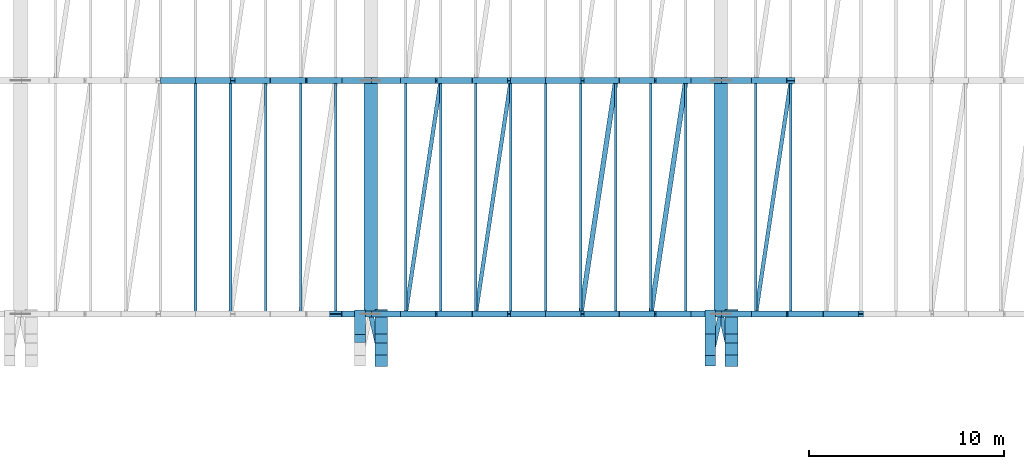
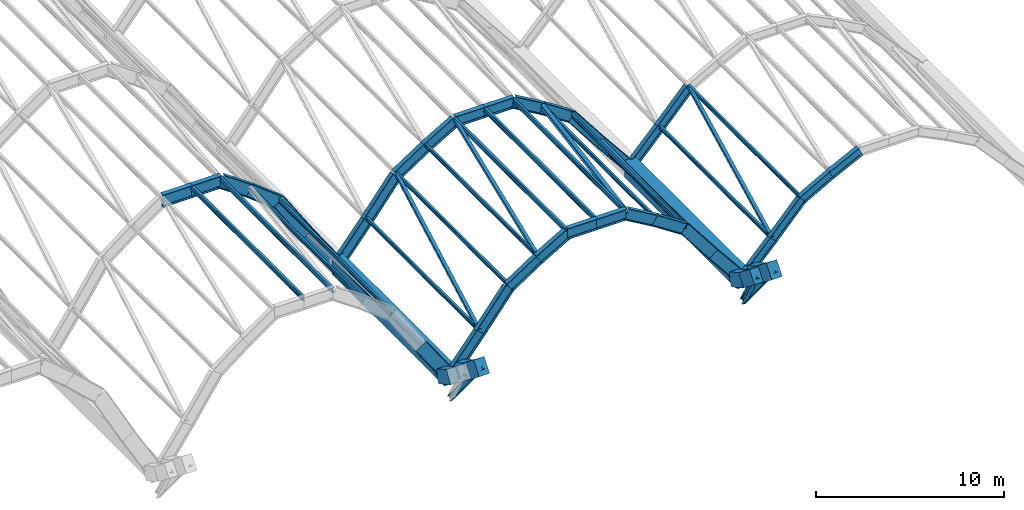
# One storey, part 13 of 86: 42 beams, 24 members.
"""IFC4 building model written with IfcOpenShell, lengths in metres."""

from ifc_helpers import new_model, si_unit, direction, frame, origin, origin_2d, place, context, subcontext, project, spatial, rectangle, i_section, extrude, material, material_profile, profile_set, type_object, element, save


model = new_model("IFC4")

# Units and contexts
model_context = context("Model", 3, precision=1e-05, world=origin(), true_north=direction((0.0, 1.0)))
body_context = subcontext(model_context, "Body", "Model", "MODEL_VIEW")
ifc_project = project(units=[si_unit("LENGTHUNIT", "METRE"), si_unit("AREAUNIT", "SQUARE_METRE"), si_unit("VOLUMEUNIT", "CUBIC_METRE"), si_unit("PLANEANGLEUNIT", "RADIAN"), si_unit("MASSUNIT", "GRAM", prefix="KILO")], contexts=[model_context])

# Site, building, storey
site_placement = place(None, origin())
site = spatial("IfcSite", under=ifc_project, at=site_placement, CompositionType="ELEMENT")
building_placement = place(site_placement, origin())
building = spatial("IfcBuilding", under=site, at=building_placement, Name="Chuanluo Vaults Station", CompositionType="ELEMENT")
storey_placement = place(building_placement, frame((0.0, 0.0, 14.39990234375)))
storey = spatial("IfcBuildingStorey", under=building, at=storey_placement, Name="L03", CompositionType="ELEMENT", Elevation=14.39990234375)

# Beams
ifc_material_1 = material(Name="Concrete C50", Category="concrete")
ifc_material_profile_1 = material_profile(ifc_material_1, rectangle(XDim=0.64990234375, YDim=0.949951171875, at=origin_2d()))
ifc_profile_set_1 = profile_set([ifc_material_profile_1], Name="Concrete C50")
beam_type_1 = type_object("IfcBeamType", Name="BM-CUSP-RC1", PredefinedType="USERDEFINED", material=ifc_profile_set_1)
beam_1_placement = place(storey_placement, frame((90.550048828125, 18.0, -0.5498046875), z_axis=(0.0, -0.872520545396, 0.488577422588), x_axis=(1.0, 0.0, 0.0)))
element("IfcBeam", 1, at=beam_1_placement, inside=storey, type_object=beam_type_1, Name="Vault V6 upturned cusp rib S-W chord 1", ObjectType="GIRDER", PredefinedType="USERDEFINED", context=body_context, shape_type="SweptSolid", body=[
    extrude(rectangle(XDim=0.64990234375, YDim=0.949951171875, at=origin_2d()), origin(), (0.0, 0.0, 1.0), 1.4326171875),
])
beam_2_placement = place(storey_placement, frame((90.550048828125, 16.75, 0.150146484375), z_axis=(0.0, -0.787512057463, 0.61629924497), x_axis=(1.0, 0.0, 0.0)))
element("IfcBeam", 2, at=beam_2_placement, inside=storey, type_object=beam_type_1, Name="Vault V6 upturned cusp rib S-W chord 2", ObjectType="GIRDER", PredefinedType="USERDEFINED", context=body_context, shape_type="SweptSolid", body=[
    extrude(rectangle(XDim=0.64990234375, YDim=0.949951171875, at=origin_2d()), origin(), (0.0, 0.0, 1.0), 1.460205078125),
])
beam_3_placement = place(storey_placement, frame((108.550048828125, 18.0, -0.5498046875), z_axis=(0.0, -0.872520545396, 0.488577422588), x_axis=(1.0, 0.0, 0.0)))
element("IfcBeam", 3, at=beam_3_placement, inside=storey, type_object=beam_type_1, Name="Vault V7 upturned cusp rib S-W chord 1", ObjectType="GIRDER", PredefinedType="USERDEFINED", context=body_context, shape_type="SweptSolid", body=[
    extrude(rectangle(XDim=0.64990234375, YDim=0.949951171875, at=origin_2d()), origin(), (0.0, 0.0, 1.0), 1.4326171875),
])
beam_4_placement = place(storey_placement, frame((108.550048828125, 16.75, 0.150146484375), z_axis=(0.0, -0.787512057463, 0.61629924497), x_axis=(1.0, 0.0, 0.0)))
element("IfcBeam", 4, at=beam_4_placement, inside=storey, type_object=beam_type_1, Name="Vault V7 upturned cusp rib S-W chord 2", ObjectType="GIRDER", PredefinedType="USERDEFINED", context=body_context, shape_type="SweptSolid", body=[
    extrude(rectangle(XDim=0.64990234375, YDim=0.949951171875, at=origin_2d()), origin(), (0.0, 0.0, 1.0), 1.460205078125),
])
ifc_material_2 = material(Name="Concrete C50", Category="concrete")
ifc_material_profile_2 = material_profile(ifc_material_2, rectangle(XDim=0.550048828125, YDim=0.85009765625, at=origin_2d()))
ifc_profile_set_2 = profile_set([ifc_material_profile_2], Name="Concrete C50")
beam_type_2 = type_object("IfcBeamType", Name="BM-CUSP-RC2", PredefinedType="USERDEFINED", material=ifc_profile_set_2)
for number, where, z_axis, x_axis, name in (
    (5, (89.449951171875, 18.0, -0.5498046875), (0.0, -0.872520545396, 0.488577422588), (1.0, 0.0, 0.0), "Vault V5 upturned cusp rib S-E chord 1"),
    (6, (107.449951171875, 18.0, -0.5498046875), (0.0, -0.872520545396, 0.488577422588), (1.0, 0.0, 0.0), "Vault V6 upturned cusp rib S-E chord 1"),
):
    element("IfcBeam", number, at=place(storey_placement, frame(where, z_axis=z_axis, x_axis=x_axis)), inside=storey, type_object=beam_type_2, Name=name, ObjectType="GIRDER", PredefinedType="USERDEFINED", context=body_context, shape_type="SweptSolid", body=[
        extrude(rectangle(XDim=0.550048828125, YDim=0.85009765625, at=origin_2d()), origin(), (0.0, 0.0, 1.0), 1.4326171875),
    ])
beam_5_placement = place(storey_placement, frame((107.449951171875, 16.75, 0.150146484375), z_axis=(0.0, -0.787512057463, 0.61629924497), x_axis=(1.0, 0.0, 0.0)))
element("IfcBeam", 7, at=beam_5_placement, inside=storey, type_object=beam_type_2, Name="Vault V6 upturned cusp rib S-E chord 2", ObjectType="GIRDER", PredefinedType="USERDEFINED", context=body_context, shape_type="SweptSolid", body=[
    extrude(rectangle(XDim=0.550048828125, YDim=0.85009765625, at=origin_2d()), origin(), (0.0, 0.0, 1.0), 1.460205078125),
])
ifc_material_3 = material(Name="Concrete C50", Category="concrete")
ifc_material_profile_3 = material_profile(ifc_material_3, rectangle(XDim=0.699951171875, YDim=1.10009765625, at=origin_2d()))
ifc_profile_set_3 = profile_set([ifc_material_profile_3], Name="Concrete C50")
beam_type_3 = type_object("IfcBeamType", Name="BM-VAL-RC", PredefinedType="USERDEFINED", material=ifc_profile_set_3)
for number, where, z_axis, x_axis, name in (
    (8, (90.0, 18.0, -0.7998046875), (0.0, 1.0, 0.0), (-1.0, 0.0, 0.0), "Vault springing valley beam X90-1"),
    (9, (108.0, 18.0, -0.7998046875), (0.0, 1.0, 0.0), (-1.0, 0.0, 0.0), "Vault springing valley beam X108-1"),
):
    element("IfcBeam", number, at=place(storey_placement, frame(where, z_axis=z_axis, x_axis=x_axis)), inside=storey, type_object=beam_type_3, Name=name, ObjectType="GIRDER", PredefinedType="USERDEFINED", context=body_context, shape_type="SweptSolid", body=[
        extrude(rectangle(XDim=0.699951171875, YDim=1.10009765625, at=origin_2d()), origin(), (0.0, 0.0, 1.0), 12.0),
    ])
ifc_material_4 = material(Name="Steel Q355C", Category="steel")
ifc_material_profile_4 = material_profile(ifc_material_4, i_section(OverallWidth=0.300048828125, OverallDepth=0.587890625, WebThickness=0.011962890625, FlangeThickness=0.02001953125, FilletRadius=0.02392578125, at=origin_2d()))
ifc_profile_set_4 = profile_set([ifc_material_profile_4], Name="Steel Q355C")
beam_type_4 = type_object("IfcBeamType", Name="BM-VLT-600", PredefinedType="USERDEFINED", material=ifc_profile_set_4)
beam_6_placement = place(storey_placement, frame((108.0, 18.0, -0.743896484375), z_axis=(0.684521510403, 0.0, 0.728992662374), x_axis=(0.0, 1.0, 0.0)))
element("IfcBeam", 10, at=beam_6_placement, inside=storey, type_object=beam_type_4, Name="Vault V7 arch rib 1 chord 1", ObjectType="GIRDER", PredefinedType="USERDEFINED", context=body_context, shape_type="SweptSolid", body=[
    extrude(i_section(OverallWidth=0.300048828125, OverallDepth=0.587890625, WebThickness=0.011962890625, FlangeThickness=0.02001953125, FilletRadius=0.02392578125, at=origin_2d()), origin(), (0.0, 0.0, 1.0), 2.629638671875),
])
beam_7_placement = place(storey_placement, frame((109.800048828125, 18.0, 1.173095703125), z_axis=(0.674369120381, 0.0, 0.738394399679), x_axis=(0.0, 1.0, 0.0)))
element("IfcBeam", 11, at=beam_7_placement, inside=storey, type_object=beam_type_4, Name="Vault V7 arch rib 1 chord 2", ObjectType="GIRDER", PredefinedType="USERDEFINED", context=body_context, shape_type="SweptSolid", body=[
    extrude(i_section(OverallWidth=0.300048828125, OverallDepth=0.587890625, WebThickness=0.011962890625, FlangeThickness=0.02001953125, FilletRadius=0.02392578125, at=origin_2d()), origin(), (0.0, 0.0, 1.0), 2.669189453125),
])
beam_8_placement = place(storey_placement, frame((111.60009765625, 18.0, 3.14404296875), z_axis=(0.873681685546, 0.0, 0.486498008569), x_axis=(0.0, 1.0, 0.0)))
element("IfcBeam", 12, at=beam_8_placement, inside=storey, type_object=beam_type_4, Name="Vault V7 arch rib 1 chord 3", ObjectType="GIRDER", PredefinedType="USERDEFINED", context=body_context, shape_type="SweptSolid", body=[
    extrude(i_section(OverallWidth=0.300048828125, OverallDepth=0.587890625, WebThickness=0.011962890625, FlangeThickness=0.02001953125, FilletRadius=0.02392578125, at=origin_2d()), origin(), (0.0, 0.0, 1.0), 2.06005859375),
])
beam_9_placement = place(storey_placement, frame((113.39990234375, 18.0, 4.146240234375), z_axis=(0.896436371213, 0.0, 0.443172463457), x_axis=(0.0, 1.0, 0.0)))
element("IfcBeam", 13, at=beam_9_placement, inside=storey, type_object=beam_type_4, Name="Vault V7 arch rib 1 chord 4", ObjectType="GIRDER", PredefinedType="USERDEFINED", context=body_context, shape_type="SweptSolid", body=[
    extrude(i_section(OverallWidth=0.300048828125, OverallDepth=0.587890625, WebThickness=0.011962890625, FlangeThickness=0.02001953125, FilletRadius=0.02392578125, at=origin_2d()), origin(), (0.0, 0.0, 1.0), 2.008056640625),
])
beam_10_placement = place(storey_placement, frame((108.0, 30.0, -0.743896484375), z_axis=(0.684521510403, 0.0, 0.728992662374), x_axis=(0.0, 1.0, 0.0)))
element("IfcBeam", 14, at=beam_10_placement, inside=storey, type_object=beam_type_4, Name="Vault V7 arch rib 2 chord 1", ObjectType="GIRDER", PredefinedType="USERDEFINED", context=body_context, shape_type="SweptSolid", body=[
    extrude(i_section(OverallWidth=0.300048828125, OverallDepth=0.587890625, WebThickness=0.011962890625, FlangeThickness=0.02001953125, FilletRadius=0.02392578125, at=origin_2d()), origin(), (0.0, 0.0, 1.0), 2.629638671875),
])
beam_11_placement = place(storey_placement, frame((109.800048828125, 30.0, 1.173095703125), z_axis=(0.674369120381, 0.0, 0.738394399679), x_axis=(0.0, 1.0, 0.0)))
element("IfcBeam", 15, at=beam_11_placement, inside=storey, type_object=beam_type_4, Name="Vault V7 arch rib 2 chord 2", ObjectType="GIRDER", PredefinedType="USERDEFINED", context=body_context, shape_type="SweptSolid", body=[
    extrude(i_section(OverallWidth=0.300048828125, OverallDepth=0.587890625, WebThickness=0.011962890625, FlangeThickness=0.02001953125, FilletRadius=0.02392578125, at=origin_2d()), origin(), (0.0, 0.0, 1.0), 2.669189453125),
])
ifc_material_5 = material(Name="Steel Q355C", Category="steel")
ifc_material_profile_5 = material_profile(ifc_material_5, i_section(OverallWidth=0.300048828125, OverallDepth=0.699951171875, WebThickness=0.012939453125, FlangeThickness=0.02392578125, FilletRadius=0.02392578125, at=origin_2d()))
ifc_profile_set_5 = profile_set([ifc_material_profile_5], Name="Steel Q355C")
beam_type_5 = type_object("IfcBeamType", Name="BM-VLT-700", PredefinedType="USERDEFINED", material=ifc_profile_set_5)
beam_12_placement = place(storey_placement, frame((90.0, 18.0, -0.7998046875), z_axis=(0.628190338877, 0.0, 0.778059700885), x_axis=(0.0, 1.0, 0.0)))
element("IfcBeam", 16, at=beam_12_placement, inside=storey, type_object=beam_type_5, Name="Vault V6 arch rib 1 chord 1", ObjectType="GIRDER", PredefinedType="USERDEFINED", context=body_context, shape_type="SweptSolid", body=[
    extrude(i_section(OverallWidth=0.300048828125, OverallDepth=0.699951171875, WebThickness=0.012939453125, FlangeThickness=0.02392578125, FilletRadius=0.02392578125, at=origin_2d()), origin(), (0.0, 0.0, 1.0), 2.865478515625),
])
beam_13_placement = place(storey_placement, frame((91.800048828125, 18.0, 1.4296875), z_axis=(0.613681275736, 0.0, 0.789553856182), x_axis=(0.0, 1.0, 0.0)))
element("IfcBeam", 17, at=beam_13_placement, inside=storey, type_object=beam_type_5, Name="Vault V6 arch rib 1 chord 2", ObjectType="GIRDER", PredefinedType="USERDEFINED", context=body_context, shape_type="SweptSolid", body=[
    extrude(i_section(OverallWidth=0.300048828125, OverallDepth=0.699951171875, WebThickness=0.012939453125, FlangeThickness=0.02392578125, FilletRadius=0.02392578125, at=origin_2d()), origin(), (0.0, 0.0, 1.0), 2.93310546875),
])
beam_14_placement = place(storey_placement, frame((93.60009765625, 18.0, 3.74560546875), z_axis=(0.836145448105, 0.0, 0.54850778446), x_axis=(0.0, 1.0, 0.0)))
element("IfcBeam", 18, at=beam_14_placement, inside=storey, type_object=beam_type_5, Name="Vault V6 arch rib 1 chord 3", ObjectType="GIRDER", PredefinedType="USERDEFINED", context=body_context, shape_type="SweptSolid", body=[
    extrude(i_section(OverallWidth=0.300048828125, OverallDepth=0.699951171875, WebThickness=0.012939453125, FlangeThickness=0.02392578125, FilletRadius=0.02392578125, at=origin_2d()), origin(), (0.0, 0.0, 1.0), 2.152587890625),
])
beam_15_placement = place(storey_placement, frame((95.39990234375, 18.0, 4.92626953125), z_axis=(0.863009490662, 0.0, 0.505187706727), x_axis=(0.0, 1.0, 0.0)))
element("IfcBeam", 19, at=beam_15_placement, inside=storey, type_object=beam_type_5, Name="Vault V6 arch rib 1 chord 4", ObjectType="GIRDER", PredefinedType="USERDEFINED", context=body_context, shape_type="SweptSolid", body=[
    extrude(i_section(OverallWidth=0.300048828125, OverallDepth=0.699951171875, WebThickness=0.012939453125, FlangeThickness=0.02392578125, FilletRadius=0.02392578125, at=origin_2d()), origin(), (0.0, 0.0, 1.0), 2.085693359375),
])
for number, where, z_axis, x_axis, name in (
    (20, (97.199951171875, 18.0, 5.97998046875), (1.0, 0.0, 0.0), (0.0, 1.0, 0.0), "Vault V6 arch rib 1 chord 5"),
    (21, (99.0, 18.0, 5.97998046875), (1.0, 0.0, 0.0), (0.0, 1.0, 0.0), "Vault V6 arch rib 1 chord 6"),
):
    element("IfcBeam", number, at=place(storey_placement, frame(where, z_axis=z_axis, x_axis=x_axis)), inside=storey, type_object=beam_type_5, Name=name, ObjectType="GIRDER", PredefinedType="USERDEFINED", context=body_context, shape_type="SweptSolid", body=[
        extrude(i_section(OverallWidth=0.300048828125, OverallDepth=0.699951171875, WebThickness=0.012939453125, FlangeThickness=0.02392578125, FilletRadius=0.02392578125, at=origin_2d()), origin(), (0.0, 0.0, 1.0), 1.800048828125),
    ])
beam_16_placement = place(storey_placement, frame((100.800048828125, 18.0, 5.97998046875), z_axis=(0.863009490662, 0.0, -0.505187706727), x_axis=(0.0, 1.0, 0.0)))
element("IfcBeam", 22, at=beam_16_placement, inside=storey, type_object=beam_type_5, Name="Vault V6 arch rib 1 chord 7", ObjectType="GIRDER", PredefinedType="USERDEFINED", context=body_context, shape_type="SweptSolid", body=[
    extrude(i_section(OverallWidth=0.300048828125, OverallDepth=0.699951171875, WebThickness=0.012939453125, FlangeThickness=0.02392578125, FilletRadius=0.02392578125, at=origin_2d()), origin(), (0.0, 0.0, 1.0), 2.085693359375),
])
beam_17_placement = place(storey_placement, frame((102.60009765625, 18.0, 4.92626953125), z_axis=(0.836145448105, 0.0, -0.54850778446), x_axis=(0.0, 1.0, 0.0)))
element("IfcBeam", 23, at=beam_17_placement, inside=storey, type_object=beam_type_5, Name="Vault V6 arch rib 1 chord 8", ObjectType="GIRDER", PredefinedType="USERDEFINED", context=body_context, shape_type="SweptSolid", body=[
    extrude(i_section(OverallWidth=0.300048828125, OverallDepth=0.699951171875, WebThickness=0.012939453125, FlangeThickness=0.02392578125, FilletRadius=0.02392578125, at=origin_2d()), origin(), (0.0, 0.0, 1.0), 2.152587890625),
])
beam_18_placement = place(storey_placement, frame((104.39990234375, 18.0, 3.74560546875), z_axis=(0.613681275736, 0.0, -0.789553856182), x_axis=(0.0, 1.0, 0.0)))
element("IfcBeam", 24, at=beam_18_placement, inside=storey, type_object=beam_type_5, Name="Vault V6 arch rib 1 chord 9", ObjectType="GIRDER", PredefinedType="USERDEFINED", context=body_context, shape_type="SweptSolid", body=[
    extrude(i_section(OverallWidth=0.300048828125, OverallDepth=0.699951171875, WebThickness=0.012939453125, FlangeThickness=0.02392578125, FilletRadius=0.02392578125, at=origin_2d()), origin(), (0.0, 0.0, 1.0), 2.93310546875),
])
for number, where, z_axis, x_axis, name in (
    (25, (106.199951171875, 18.0, 1.4296875), (0.628190338877, 0.0, -0.778059700885), (0.0, 1.0, 0.0), "Vault V6 arch rib 1 chord 10"),
    (26, (90.0, 30.0, -0.7998046875), (0.628190338877, 0.0, 0.778059700885), (0.0, 1.0, 0.0), "Vault V6 arch rib 2 chord 1"),
):
    element("IfcBeam", number, at=place(storey_placement, frame(where, z_axis=z_axis, x_axis=x_axis)), inside=storey, type_object=beam_type_5, Name=name, ObjectType="GIRDER", PredefinedType="USERDEFINED", context=body_context, shape_type="SweptSolid", body=[
        extrude(i_section(OverallWidth=0.300048828125, OverallDepth=0.699951171875, WebThickness=0.012939453125, FlangeThickness=0.02392578125, FilletRadius=0.02392578125, at=origin_2d()), origin(), (0.0, 0.0, 1.0), 2.865478515625),
    ])
beam_19_placement = place(storey_placement, frame((91.800048828125, 30.0, 1.4296875), z_axis=(0.613681275736, 0.0, 0.789553856182), x_axis=(0.0, 1.0, 0.0)))
element("IfcBeam", 27, at=beam_19_placement, inside=storey, type_object=beam_type_5, Name="Vault V6 arch rib 2 chord 2", ObjectType="GIRDER", PredefinedType="USERDEFINED", context=body_context, shape_type="SweptSolid", body=[
    extrude(i_section(OverallWidth=0.300048828125, OverallDepth=0.699951171875, WebThickness=0.012939453125, FlangeThickness=0.02392578125, FilletRadius=0.02392578125, at=origin_2d()), origin(), (0.0, 0.0, 1.0), 2.93310546875),
])
beam_20_placement = place(storey_placement, frame((93.60009765625, 30.0, 3.74560546875), z_axis=(0.836145448105, 0.0, 0.54850778446), x_axis=(0.0, 1.0, 0.0)))
element("IfcBeam", 28, at=beam_20_placement, inside=storey, type_object=beam_type_5, Name="Vault V6 arch rib 2 chord 3", ObjectType="GIRDER", PredefinedType="USERDEFINED", context=body_context, shape_type="SweptSolid", body=[
    extrude(i_section(OverallWidth=0.300048828125, OverallDepth=0.699951171875, WebThickness=0.012939453125, FlangeThickness=0.02392578125, FilletRadius=0.02392578125, at=origin_2d()), origin(), (0.0, 0.0, 1.0), 2.152587890625),
])
beam_21_placement = place(storey_placement, frame((95.39990234375, 30.0, 4.92626953125), z_axis=(0.863009490662, 0.0, 0.505187706727), x_axis=(0.0, 1.0, 0.0)))
element("IfcBeam", 29, at=beam_21_placement, inside=storey, type_object=beam_type_5, Name="Vault V6 arch rib 2 chord 4", ObjectType="GIRDER", PredefinedType="USERDEFINED", context=body_context, shape_type="SweptSolid", body=[
    extrude(i_section(OverallWidth=0.300048828125, OverallDepth=0.699951171875, WebThickness=0.012939453125, FlangeThickness=0.02392578125, FilletRadius=0.02392578125, at=origin_2d()), origin(), (0.0, 0.0, 1.0), 2.085693359375),
])
for number, where, z_axis, x_axis, name in (
    (30, (97.199951171875, 30.0, 5.97998046875), (1.0, 0.0, 0.0), (0.0, 1.0, 0.0), "Vault V6 arch rib 2 chord 5"),
    (31, (99.0, 30.0, 5.97998046875), (1.0, 0.0, 0.0), (0.0, 1.0, 0.0), "Vault V6 arch rib 2 chord 6"),
):
    element("IfcBeam", number, at=place(storey_placement, frame(where, z_axis=z_axis, x_axis=x_axis)), inside=storey, type_object=beam_type_5, Name=name, ObjectType="GIRDER", PredefinedType="USERDEFINED", context=body_context, shape_type="SweptSolid", body=[
        extrude(i_section(OverallWidth=0.300048828125, OverallDepth=0.699951171875, WebThickness=0.012939453125, FlangeThickness=0.02392578125, FilletRadius=0.02392578125, at=origin_2d()), origin(), (0.0, 0.0, 1.0), 1.800048828125),
    ])
beam_22_placement = place(storey_placement, frame((100.800048828125, 30.0, 5.97998046875), z_axis=(0.863009490662, 0.0, -0.505187706727), x_axis=(0.0, 1.0, 0.0)))
element("IfcBeam", 32, at=beam_22_placement, inside=storey, type_object=beam_type_5, Name="Vault V6 arch rib 2 chord 7", ObjectType="GIRDER", PredefinedType="USERDEFINED", context=body_context, shape_type="SweptSolid", body=[
    extrude(i_section(OverallWidth=0.300048828125, OverallDepth=0.699951171875, WebThickness=0.012939453125, FlangeThickness=0.02392578125, FilletRadius=0.02392578125, at=origin_2d()), origin(), (0.0, 0.0, 1.0), 2.085693359375),
])
beam_23_placement = place(storey_placement, frame((102.60009765625, 30.0, 4.92626953125), z_axis=(0.836145448105, 0.0, -0.54850778446), x_axis=(0.0, 1.0, 0.0)))
element("IfcBeam", 33, at=beam_23_placement, inside=storey, type_object=beam_type_5, Name="Vault V6 arch rib 2 chord 8", ObjectType="GIRDER", PredefinedType="USERDEFINED", context=body_context, shape_type="SweptSolid", body=[
    extrude(i_section(OverallWidth=0.300048828125, OverallDepth=0.699951171875, WebThickness=0.012939453125, FlangeThickness=0.02392578125, FilletRadius=0.02392578125, at=origin_2d()), origin(), (0.0, 0.0, 1.0), 2.152587890625),
])
beam_24_placement = place(storey_placement, frame((104.39990234375, 30.0, 3.74560546875), z_axis=(0.613681275736, 0.0, -0.789553856182), x_axis=(0.0, 1.0, 0.0)))
element("IfcBeam", 34, at=beam_24_placement, inside=storey, type_object=beam_type_5, Name="Vault V6 arch rib 2 chord 9", ObjectType="GIRDER", PredefinedType="USERDEFINED", context=body_context, shape_type="SweptSolid", body=[
    extrude(i_section(OverallWidth=0.300048828125, OverallDepth=0.699951171875, WebThickness=0.012939453125, FlangeThickness=0.02392578125, FilletRadius=0.02392578125, at=origin_2d()), origin(), (0.0, 0.0, 1.0), 2.93310546875),
])
beam_25_placement = place(storey_placement, frame((106.199951171875, 30.0, 1.4296875), z_axis=(0.628190338877, 0.0, -0.778059700885), x_axis=(0.0, 1.0, 0.0)))
element("IfcBeam", 35, at=beam_25_placement, inside=storey, type_object=beam_type_5, Name="Vault V6 arch rib 2 chord 10", ObjectType="GIRDER", PredefinedType="USERDEFINED", context=body_context, shape_type="SweptSolid", body=[
    extrude(i_section(OverallWidth=0.300048828125, OverallDepth=0.699951171875, WebThickness=0.012939453125, FlangeThickness=0.02392578125, FilletRadius=0.02392578125, at=origin_2d()), origin(), (0.0, 0.0, 1.0), 2.865478515625),
])
ifc_material_6 = material(Name="Steel Q355C", Category="steel")
ifc_material_profile_6 = material_profile(ifc_material_6, i_section(OverallWidth=0.300048828125, OverallDepth=0.800048828125, WebThickness=0.013916015625, FlangeThickness=0.02587890625, FilletRadius=0.02392578125, at=origin_2d()))
ifc_profile_set_6 = profile_set([ifc_material_profile_6], Name="Steel Q355C")
beam_type_6 = type_object("IfcBeamType", Name="BM-VLT-800", PredefinedType="USERDEFINED", material=ifc_profile_set_6)
beam_26_placement = place(storey_placement, frame((88.199951171875, 18.0, 1.75244140625), z_axis=(0.568880934439, 0.0, -0.822419894234), x_axis=(0.0, 1.0, 0.0)))
element("IfcBeam", 36, at=beam_26_placement, inside=storey, type_object=beam_type_6, Name="Vault V5 arch rib 1 chord 10", ObjectType="GIRDER", PredefinedType="USERDEFINED", context=body_context, shape_type="SweptSolid", body=[
    extrude(i_section(OverallWidth=0.300048828125, OverallDepth=0.800048828125, WebThickness=0.013916015625, FlangeThickness=0.02587890625, FilletRadius=0.02392578125, at=origin_2d()), origin(), (0.0, 0.0, 1.0), 3.164306640625),
])
for number, where, z_axis, x_axis, name in (
    (37, (79.199951171875, 30.0, 7.130126953125), (1.0, 0.0, 0.0), (0.0, 1.0, 0.0), "Vault V5 arch rib 2 chord 5"),
    (38, (81.0, 30.0, 7.130126953125), (1.0, 0.0, 0.0), (0.0, 1.0, 0.0), "Vault V5 arch rib 2 chord 6"),
):
    element("IfcBeam", number, at=place(storey_placement, frame(where, z_axis=z_axis, x_axis=x_axis)), inside=storey, type_object=beam_type_6, Name=name, ObjectType="GIRDER", PredefinedType="USERDEFINED", context=body_context, shape_type="SweptSolid", body=[
        extrude(i_section(OverallWidth=0.300048828125, OverallDepth=0.800048828125, WebThickness=0.013916015625, FlangeThickness=0.02587890625, FilletRadius=0.02392578125, at=origin_2d()), origin(), (0.0, 0.0, 1.0), 1.800048828125),
    ])
beam_27_placement = place(storey_placement, frame((82.800048828125, 30.0, 7.130126953125), z_axis=(0.820907471123, 0.0, -0.571061226012), x_axis=(0.0, 1.0, 0.0)))
element("IfcBeam", 39, at=beam_27_placement, inside=storey, type_object=beam_type_6, Name="Vault V5 arch rib 2 chord 7", ObjectType="GIRDER", PredefinedType="USERDEFINED", context=body_context, shape_type="SweptSolid", body=[
    extrude(i_section(OverallWidth=0.300048828125, OverallDepth=0.800048828125, WebThickness=0.013916015625, FlangeThickness=0.02587890625, FilletRadius=0.02392578125, at=origin_2d()), origin(), (0.0, 0.0, 1.0), 2.19287109375),
])
beam_28_placement = place(storey_placement, frame((84.60009765625, 30.0, 5.8779296875), z_axis=(0.790274889356, 0.0, -0.612752477965), x_axis=(0.0, 1.0, 0.0)))
element("IfcBeam", 40, at=beam_28_placement, inside=storey, type_object=beam_type_6, Name="Vault V5 arch rib 2 chord 8", ObjectType="GIRDER", PredefinedType="USERDEFINED", context=body_context, shape_type="SweptSolid", body=[
    extrude(i_section(OverallWidth=0.300048828125, OverallDepth=0.800048828125, WebThickness=0.013916015625, FlangeThickness=0.02587890625, FilletRadius=0.02392578125, at=origin_2d()), origin(), (0.0, 0.0, 1.0), 2.27734375),
])
beam_29_placement = place(storey_placement, frame((86.39990234375, 30.0, 4.482421875), z_axis=(0.550471867992, 0.0, -0.834853713263), x_axis=(0.0, 1.0, 0.0)))
element("IfcBeam", 41, at=beam_29_placement, inside=storey, type_object=beam_type_6, Name="Vault V5 arch rib 2 chord 9", ObjectType="GIRDER", PredefinedType="USERDEFINED", context=body_context, shape_type="SweptSolid", body=[
    extrude(i_section(OverallWidth=0.300048828125, OverallDepth=0.800048828125, WebThickness=0.013916015625, FlangeThickness=0.02587890625, FilletRadius=0.02392578125, at=origin_2d()), origin(), (0.0, 0.0, 1.0), 3.27001953125),
])
beam_30_placement = place(storey_placement, frame((88.199951171875, 30.0, 1.75244140625), z_axis=(0.568880934439, 0.0, -0.822419894234), x_axis=(0.0, 1.0, 0.0)))
element("IfcBeam", 42, at=beam_30_placement, inside=storey, type_object=beam_type_6, Name="Vault V5 arch rib 2 chord 10", ObjectType="GIRDER", PredefinedType="USERDEFINED", context=body_context, shape_type="SweptSolid", body=[
    extrude(i_section(OverallWidth=0.300048828125, OverallDepth=0.800048828125, WebThickness=0.013916015625, FlangeThickness=0.02587890625, FilletRadius=0.02392578125, at=origin_2d()), origin(), (0.0, 0.0, 1.0), 3.164306640625),
])

# Members
ifc_material_7 = material(Name="Steel Q355C", Category="steel")
ifc_material_profile_7 = material_profile(ifc_material_7, i_section(OverallWidth=0.25, OverallDepth=0.340087890625, WebThickness=0.009033203125, FlangeThickness=0.013916015625, FilletRadius=0.01611328125, at=origin_2d()))
ifc_profile_set_7 = profile_set([ifc_material_profile_7], Name="Steel Q355C")
member_type_1 = type_object("IfcMemberType", Name="MEM-CBR-340", PredefinedType="BRACE", material=ifc_profile_set_7)
for number, where, z_axis, x_axis, name in (
    (43, (90.0, 18.0, -2.25), (0.133593569942, -0.582878292291, 0.801502123794), (0.974726021078, 0.223403634333, 0.0), "Upturned eave cusp raking prop S-X90-E"),
    (44, (108.0, 18.0, -2.25), (-0.133593569942, -0.582878292291, 0.801502123794), (0.974726021078, -0.223403634333, 0.0), "Upturned eave cusp raking prop S-X108-W"),
    (45, (108.0, 18.0, -2.25), (0.133593569942, -0.582878292291, 0.801502123794), (0.974726021078, 0.223403634333, 0.0), "Upturned eave cusp raking prop S-X108-E"),
):
    element("IfcMember", number, at=place(storey_placement, frame(where, z_axis=z_axis, x_axis=x_axis)), inside=storey, type_object=member_type_1, Name=name, PredefinedType="BRACE", context=body_context, shape_type="SweptSolid", body=[
        extrude(i_section(OverallWidth=0.25, OverallDepth=0.340087890625, WebThickness=0.009033203125, FlangeThickness=0.013916015625, FilletRadius=0.01611328125, at=origin_2d()), origin(), (0.0, 0.0, 1.0), 4.117431640625),
    ])
ifc_material_8 = material(Name="Steel Q355C", Category="steel")
ifc_material_profile_8 = material_profile(ifc_material_8, i_section(OverallWidth=0.125, OverallDepth=0.25, WebThickness=0.006103515625, FlangeThickness=0.009033203125, FilletRadius=0.011962890625, at=origin_2d()))
ifc_profile_set_8 = profile_set([ifc_material_profile_8], Name="Steel Q355C")
member_type_2 = type_object("IfcMemberType", Name="MEM-PUR-250", PredefinedType="PURLIN", material=ifc_profile_set_8)
for number, where, z_axis, x_axis, name in (
    (46, (84.60009765625, 18.0, 6.062744140625), (0.0, 1.0, 0.0), (-1.0, 0.0, 0.0), "Vault V5 purlin 1.7"),
    (47, (86.39990234375, 18.0, 4.619384765625), (0.0, 1.0, 0.0), (-1.0, 0.0, 0.0), "Vault V5 purlin 1.8"),
    (48, (88.199951171875, 18.0, 1.86962890625), (0.0, 1.0, 0.0), (-1.0, 0.0, 0.0), "Vault V5 purlin 1.9"),
    (49, (91.800048828125, 18.0, 1.5126953125), (0.0, 1.0, 0.0), (-1.0, 0.0, 0.0), "Vault V6 purlin 1.1"),
    (50, (93.60009765625, 18.0, 3.849853515625), (0.0, 1.0, 0.0), (-1.0, 0.0, 0.0), "Vault V6 purlin 1.2"),
    (51, (95.39990234375, 18.0, 5.068115234375), (0.0, 1.0, 0.0), (-1.0, 0.0, 0.0), "Vault V6 purlin 1.3"),
    (52, (102.60009765625, 18.0, 5.068115234375), (0.0, 1.0, 0.0), (-1.0, 0.0, 0.0), "Vault V6 purlin 1.7"),
    (53, (104.39990234375, 18.0, 3.849853515625), (0.0, 1.0, 0.0), (-1.0, 0.0, 0.0), "Vault V6 purlin 1.8"),
    (54, (106.199951171875, 18.0, 1.5126953125), (0.0, 1.0, 0.0), (-1.0, 0.0, 0.0), "Vault V6 purlin 1.9"),
    (55, (109.800048828125, 18.0, 1.213134765625), (0.0, 1.0, 0.0), (-1.0, 0.0, 0.0), "Vault V7 purlin 1.1"),
    (56, (111.60009765625, 18.0, 3.206787109375), (0.0, 1.0, 0.0), (-1.0, 0.0, 0.0), "Vault V7 purlin 1.2"),
):
    element("IfcMember", number, at=place(storey_placement, frame(where, z_axis=z_axis, x_axis=x_axis)), inside=storey, type_object=member_type_2, Name=name, PredefinedType="PURLIN", context=body_context, shape_type="SweptSolid", body=[
        extrude(i_section(OverallWidth=0.125, OverallDepth=0.25, WebThickness=0.006103515625, FlangeThickness=0.009033203125, FilletRadius=0.011962890625, at=origin_2d()), origin(), (0.0, 0.0, 1.0), 12.0),
    ])
ifc_material_9 = material(Name="Steel Q355C", Category="steel")
ifc_material_profile_9 = material_profile(ifc_material_9, i_section(OverallWidth=0.14990234375, OverallDepth=0.300048828125, WebThickness=0.006591796875, FlangeThickness=0.009033203125, FilletRadius=0.012939453125, at=origin_2d()))
ifc_profile_set_9 = profile_set([ifc_material_profile_9], Name="Steel Q355C")
member_type_3 = type_object("IfcMemberType", Name="MEM-PUR-300", PredefinedType="PURLIN", material=ifc_profile_set_9)
for number, where, z_axis, x_axis, name in (
    (57, (81.0, 18.0, 7.3720703125), (0.0, 1.0, 0.0), (-1.0, 0.0, 0.0), "Vault V5 purlin 1.5"),
    (58, (82.800048828125, 18.0, 7.264404296875), (0.0, 1.0, 0.0), (-1.0, 0.0, 0.0), "Vault V5 purlin 1.6"),
    (59, (97.199951171875, 18.0, 6.085693359375), (0.0, 1.0, 0.0), (-1.0, 0.0, 0.0), "Vault V6 purlin 1.4"),
    (60, (99.0, 18.0, 6.172119140625), (0.0, 1.0, 0.0), (-1.0, 0.0, 0.0), "Vault V6 purlin 1.5"),
    (61, (100.800048828125, 18.0, 6.085693359375), (0.0, 1.0, 0.0), (-1.0, 0.0, 0.0), "Vault V6 purlin 1.6"),
):
    element("IfcMember", number, at=place(storey_placement, frame(where, z_axis=z_axis, x_axis=x_axis)), inside=storey, type_object=member_type_3, Name=name, PredefinedType="PURLIN", context=body_context, shape_type="SweptSolid", body=[
        extrude(i_section(OverallWidth=0.14990234375, OverallDepth=0.300048828125, WebThickness=0.006591796875, FlangeThickness=0.009033203125, FilletRadius=0.012939453125, at=origin_2d()), origin(), (0.0, 0.0, 1.0), 12.0),
    ])
ifc_material_10 = material(Name="Steel Q355C", Category="steel")
ifc_material_profile_10 = material_profile(ifc_material_10, i_section(OverallWidth=0.199951171875, OverallDepth=0.199951171875, WebThickness=0.008056640625, FlangeThickness=0.011962890625, FilletRadius=0.012939453125, at=origin_2d()))
ifc_profile_set_10 = profile_set([ifc_material_profile_10], Name="Steel Q355C")
member_type_4 = type_object("IfcMemberType", Name="MEM-VBR-200", PredefinedType="BRACE", material=ifc_profile_set_10)
member_1_placement = place(storey_placement, frame((91.800048828125, 18.0, 1.5126953125), z_axis=(0.145667019671, 0.971087122046, 0.189132019437), x_axis=(-0.988935762544, 0.148344388372, 0.0)))
element("IfcMember", 62, at=member_1_placement, inside=storey, type_object=member_type_4, Name="Vault V6 space-frame diagonal 1.1", PredefinedType="BRACE", context=body_context, shape_type="SweptSolid", body=[
    extrude(i_section(OverallWidth=0.199951171875, OverallDepth=0.199951171875, WebThickness=0.008056640625, FlangeThickness=0.011962890625, FilletRadius=0.012939453125, at=origin_2d()), origin(), (0.0, 0.0, 1.0), 12.357177734375),
])
member_2_placement = place(storey_placement, frame((95.39990234375, 18.0, 5.068115234375), z_axis=(0.147825508235, 0.985476655471, 0.083566623942), x_axis=(-0.988935762544, 0.148344388372, 0.0)))
element("IfcMember", 63, at=member_2_placement, inside=storey, type_object=member_type_4, Name="Vault V6 space-frame diagonal 1.3", PredefinedType="BRACE", context=body_context, shape_type="SweptSolid", body=[
    extrude(i_section(OverallWidth=0.199951171875, OverallDepth=0.199951171875, WebThickness=0.008056640625, FlangeThickness=0.011962890625, FilletRadius=0.012939453125, at=origin_2d()), origin(), (0.0, 0.0, 1.0), 12.1767578125),
])
member_3_placement = place(storey_placement, frame((109.800048828125, 18.0, 1.213134765625), z_axis=(0.146381805557, 0.975852232025, 0.162125840794), x_axis=(-0.988935762544, 0.148344388372, 0.0)))
element("IfcMember", 64, at=member_3_placement, inside=storey, type_object=member_type_4, Name="Vault V7 space-frame diagonal 1.1", PredefinedType="BRACE", context=body_context, shape_type="SweptSolid", body=[
    extrude(i_section(OverallWidth=0.199951171875, OverallDepth=0.199951171875, WebThickness=0.008056640625, FlangeThickness=0.011962890625, FilletRadius=0.012939453125, at=origin_2d()), origin(), (0.0, 0.0, 1.0), 12.296875),
])
ifc_material_11 = material(Name="Steel Q355C", Category="steel")
ifc_material_profile_11 = material_profile(ifc_material_11, i_section(OverallWidth=0.25, OverallDepth=0.25, WebThickness=0.009033203125, FlangeThickness=0.013916015625, FilletRadius=0.01611328125, at=origin_2d()))
ifc_profile_set_11 = profile_set([ifc_material_profile_11], Name="Steel Q355C")
member_type_5 = type_object("IfcMemberType", Name="MEM-VBR-250", PredefinedType="BRACE", material=ifc_profile_set_11)
member_4_placement = place(storey_placement, frame((100.800048828125, 18.0, 6.085693359375), z_axis=(0.147825508235, 0.985476655471, -0.083566623942), x_axis=(-0.988935762544, 0.148344388372, 0.0)))
element("IfcMember", 65, at=member_4_placement, inside=storey, type_object=member_type_5, Name="Vault V6 space-frame diagonal 1.6", PredefinedType="BRACE", context=body_context, shape_type="SweptSolid", body=[
    extrude(i_section(OverallWidth=0.25, OverallDepth=0.25, WebThickness=0.009033203125, FlangeThickness=0.013916015625, FilletRadius=0.01611328125, at=origin_2d()), origin(), (0.0, 0.0, 1.0), 12.1767578125),
])
member_5_placement = place(storey_placement, frame((104.39990234375, 18.0, 3.849853515625), z_axis=(0.145667019671, 0.971087122046, -0.189132019437), x_axis=(-0.988935762544, 0.148344388372, 0.0)))
element("IfcMember", 66, at=member_5_placement, inside=storey, type_object=member_type_5, Name="Vault V6 space-frame diagonal 1.8", PredefinedType="BRACE", context=body_context, shape_type="SweptSolid", body=[
    extrude(i_section(OverallWidth=0.25, OverallDepth=0.25, WebThickness=0.009033203125, FlangeThickness=0.013916015625, FilletRadius=0.01611328125, at=origin_2d()), origin(), (0.0, 0.0, 1.0), 12.357177734375),
])

save(model, "model.ifc")
